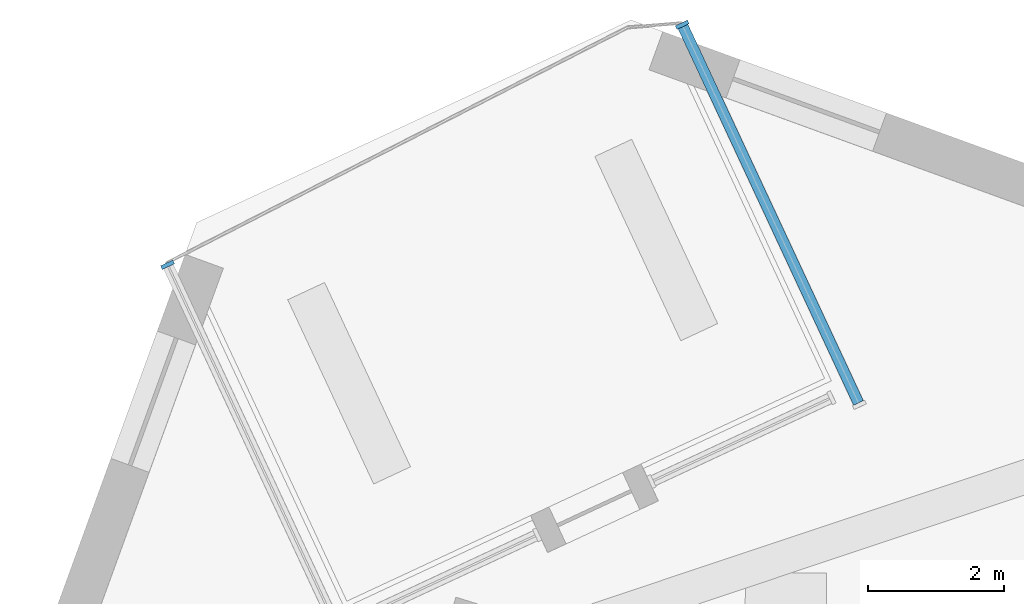
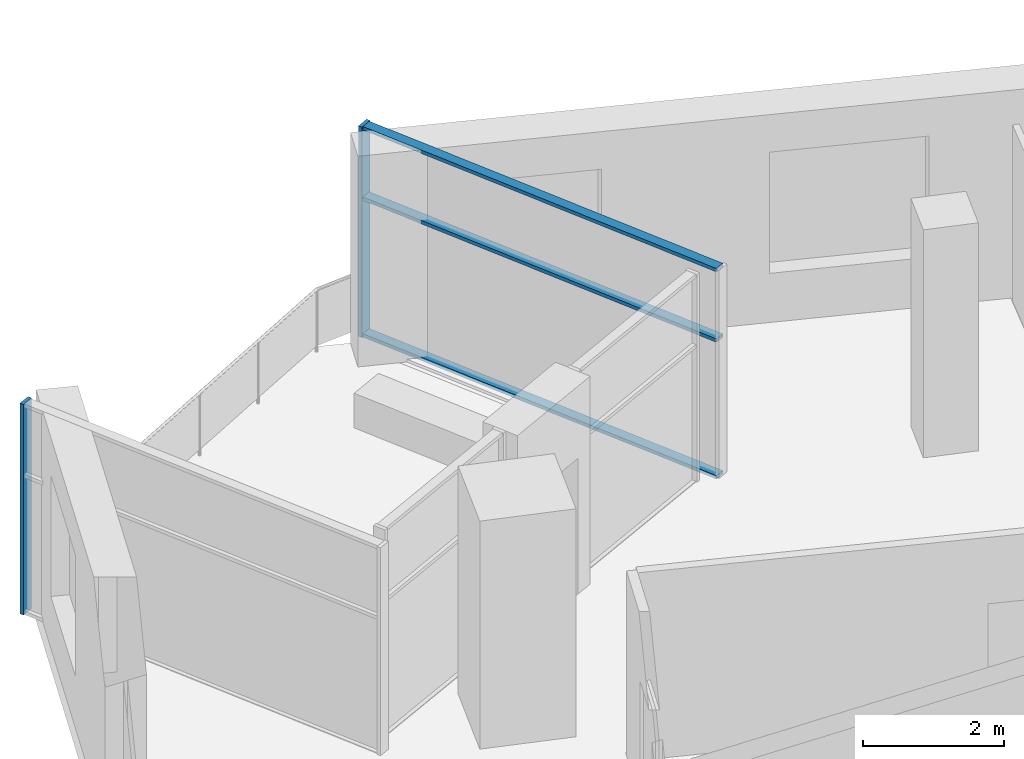
# One storey, part 4 of 13: 5 members, 2 elements without a shape of their own.
"""IFC4 building model written with IfcOpenShell, lengths in metres."""

from ifc_helpers import new_model, si_unit, direction, frame, origin, origin_2d, place, context, subcontext, project, spatial, rectangle, extrude, material, material_profile, profile_set, type_object, element, aggregate, save


model = new_model("IFC4")

# Units and contexts
model_context = context("Model", 3, precision=1e-05, world=origin(), true_north=direction((0.0, 1.0)))
body_context = subcontext(model_context, "Body", "Model", "MODEL_VIEW")
ifc_project = project(units=[si_unit("LENGTHUNIT", "METRE"), si_unit("AREAUNIT", "SQUARE_METRE"), si_unit("VOLUMEUNIT", "CUBIC_METRE"), si_unit("PLANEANGLEUNIT", "RADIAN"), si_unit("MASSUNIT", "GRAM", prefix="KILO")], contexts=[model_context])

# Site, building, storey
site_placement = place(None, origin())
site = spatial("IfcSite", under=ifc_project, at=site_placement, CompositionType="ELEMENT")
building_placement = place(site_placement, origin())
building = spatial("IfcBuilding", under=site, at=building_placement, Name="Dilmun Exchange Tower", CompositionType="ELEMENT")
storey_placement = place(building_placement, frame((0.0, 0.0, 308.5)))
storey = spatial("IfcBuildingStorey", under=building, at=storey_placement, Name="L73", CompositionType="ELEMENT", Elevation=308.5)

# Curtain wall, member
ifc_material_1 = material(Name="Anodised aluminium and clear glass", Category="aluminium")
curtain_wall_type = type_object("IfcCurtainWallType", Name="Garden corner glazing", PredefinedType="NOTDEFINED", material=ifc_material_1)
curtain_wall_1_placement = place(storey_placement, origin())
curtain_wall_1 = element("IfcCurtainWall", 1, at=curtain_wall_1_placement, inside=storey, type_object=curtain_wall_type, Name="Garden corner glazing run GC1.1", PredefinedType="NOTDEFINED")
ifc_material_2 = material(Name="Anodised aluminium", Category="aluminium")
ifc_material_profile_1 = material_profile(ifc_material_2, rectangle(XDim=0.199951171875, YDim=0.06005859375, at=origin_2d()), Name="AL 60x200")
ifc_profile_set_1 = profile_set([ifc_material_profile_1], Name="Anodised aluminium")
member_type_1 = type_object("IfcMemberType", Name="Garden corner glazing mullion 60 x 200", PredefinedType="MULLION", material=ifc_profile_set_1)
member_1_placement = place(storey_placement, frame((-9.658203125, 35.643798828125, 0.0), z_axis=(0.0, 0.0, 1.0), x_axis=(0.906305390357, 0.4226234014, 0.0)))
member_1 = element("IfcMember", 2, at=member_1_placement, type_object=member_type_1, Name="GC1.1 mullion 1", PredefinedType="MULLION", context=body_context, shape_type="SweptSolid", body=[
    extrude(rectangle(XDim=0.199951171875, YDim=0.06005859375, at=origin_2d()), origin(), (0.0, 0.0, 1.0), 3.64990234375),
])

curtain_wall_2_placement = place(storey_placement, origin())
curtain_wall_2 = element("IfcCurtainWall", 3, at=curtain_wall_2_placement, inside=storey, type_object=curtain_wall_type, Name="Garden corner glazing run GC3.1", PredefinedType="NOTDEFINED")
member_2_placement = place(storey_placement, frame((-17.25146484375, 32.10302734375, 0.0), z_axis=(0.0, 0.0, 1.0), x_axis=(-0.906305390357, -0.4226234014, 0.0)))
member_2 = element("IfcMember", 4, at=member_2_placement, type_object=member_type_1, Name="GC3.1 mullion 2", PredefinedType="MULLION", context=body_context, shape_type="SweptSolid", body=[
    extrude(rectangle(XDim=0.199951171875, YDim=0.06005859375, at=origin_2d()), origin(), (0.0, 0.0, 1.0), 3.64990234375),
])
aggregate(curtain_wall_2, [member_2])

# Member
ifc_material_profile_2 = material_profile(ifc_material_2, rectangle(XDim=0.159912109375, YDim=0.06005859375, at=origin_2d()), Name="AL 60x160")
ifc_profile_set_2 = profile_set([ifc_material_profile_2], Name="Anodised aluminium")
member_type_2 = type_object("IfcMemberType", Name="Garden corner glazing transom 60 x 160", PredefinedType="USERDEFINED", material=ifc_profile_set_2)
member_3_placement = place(storey_placement, frame((-9.6455078125, 35.61669921875, 0.030029296875), z_axis=(0.422610567282, -0.906311374982, 0.0), x_axis=(0.906311374982, 0.422610567282, 0.0)))
member_3 = element("IfcMember", 5, at=member_3_placement, type_object=member_type_2, Name="GC1.1 transom 1.1", ObjectType="TRANSOM", PredefinedType="USERDEFINED", context=body_context, shape_type="SweptSolid", body=[
    extrude(rectangle(XDim=0.159912109375, YDim=0.06005859375, at=origin_2d()), origin(), (0.0, 0.0, 1.0), 6.12646484375),
])

member_4_placement = place(storey_placement, frame((-9.6455078125, 35.61669921875, 2.39990234375), z_axis=(0.422610567282, -0.906311374982, 0.0), x_axis=(0.906311374982, 0.422610567282, 0.0)))
member_4 = element("IfcMember", 6, at=member_4_placement, type_object=member_type_2, Name="GC1.1 transom 1.2", ObjectType="TRANSOM", PredefinedType="USERDEFINED", context=body_context, shape_type="SweptSolid", body=[
    extrude(rectangle(XDim=0.159912109375, YDim=0.06005859375, at=origin_2d()), origin(), (0.0, 0.0, 1.0), 6.12646484375),
])

member_5_placement = place(storey_placement, frame((-9.6455078125, 35.61669921875, 3.6201171875), z_axis=(0.422610567282, -0.906311374982, 0.0), x_axis=(0.906311374982, 0.422610567282, 0.0)))
member_5 = element("IfcMember", 7, at=member_5_placement, type_object=member_type_2, Name="GC1.1 transom 1.3", ObjectType="TRANSOM", PredefinedType="USERDEFINED", context=body_context, shape_type="SweptSolid", body=[
    extrude(rectangle(XDim=0.159912109375, YDim=0.06005859375, at=origin_2d()), origin(), (0.0, 0.0, 1.0), 6.12646484375),
])

aggregate(curtain_wall_1, [member_1, member_3, member_4, member_5])

save(model, "model.ifc")
